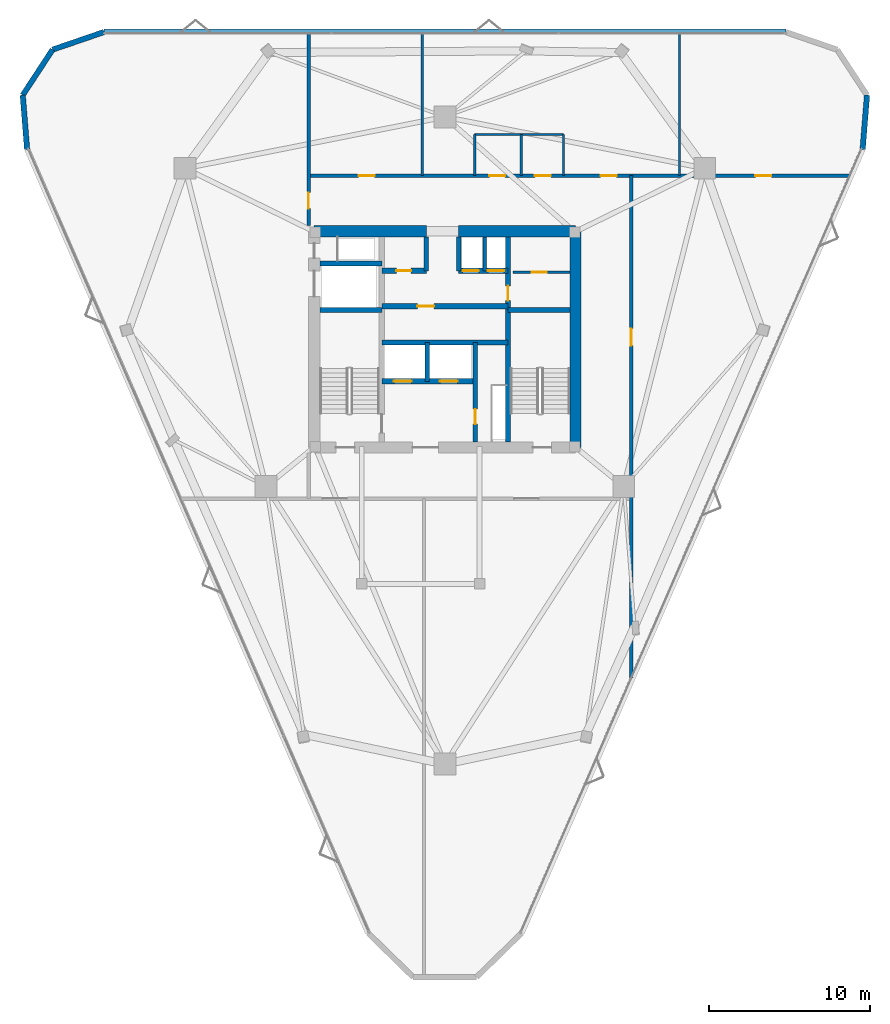
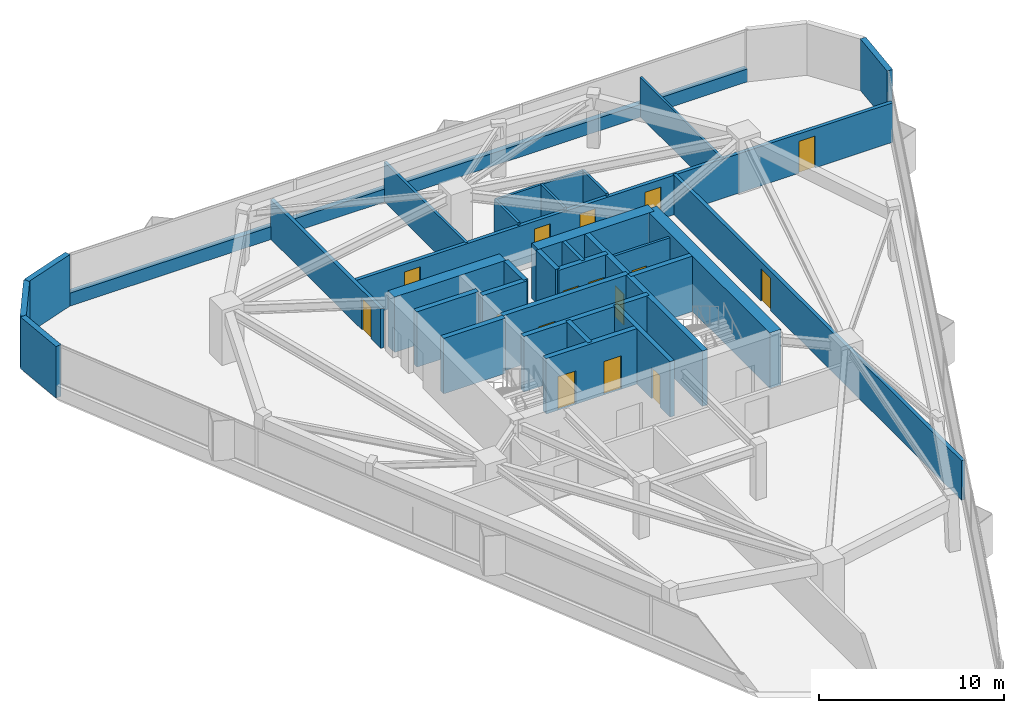
# One storey, part 10 of 12: 32 walls, 16 doors, 16 openings.
"""IFC4 building model written with IfcOpenShell, lengths in metres."""

from ifc_helpers import new_model, si_unit, direction, frame, frame_2d, origin, place, context, subcontext, project, spatial, rectangle, extrude, material, layer, layer_set, type_object, element, fill, save


model = new_model("IFC4")

# Units and contexts
model_context = context("Model", 3, precision=1e-05, world=origin(), true_north=direction((0.0, 1.0)))
body_context = subcontext(model_context, "Body", "Model", "MODEL_VIEW")
ifc_project = project(units=[si_unit("LENGTHUNIT", "METRE"), si_unit("AREAUNIT", "SQUARE_METRE"), si_unit("VOLUMEUNIT", "CUBIC_METRE"), si_unit("PLANEANGLEUNIT", "RADIAN"), si_unit("MASSUNIT", "GRAM", prefix="KILO")], contexts=[model_context])

# Site, building, storey
site_placement = place(None, origin())
site = spatial("IfcSite", under=ifc_project, at=site_placement, CompositionType="ELEMENT")
building_placement = place(site_placement, origin())
building = spatial("IfcBuilding", under=site, at=building_placement, Name="Talyreon Biosciences Tower", CompositionType="ELEMENT")
storey_placement = place(building_placement, frame((0.0, 0.0, 194.0)))
storey = spatial("IfcBuildingStorey", under=building, at=storey_placement, Name="L51", CompositionType="ELEMENT", Elevation=194.0)

# Walls
ifc_material_1 = material(Name="Concrete C50/60", Category="concrete")
ifc_layer_1 = layer(ifc_material_1, 0.219970703125)
ifc_layer_set_1 = layer_set([ifc_layer_1], Name="Concrete C50/60")
wall_type_1 = type_object("IfcWallType", Name="CoreShearWall_220", PredefinedType="SHEAR", material=ifc_layer_set_1)
wall_1_placement = place(storey_placement, frame((68.4599609375, 72.25, 0.0), z_axis=(0.0, 0.0, 1.0), x_axis=(0.0, 1.0, 0.0)))
element("IfcWall", 1, at=wall_1_placement, inside=storey, type_object=wall_type_1, Name="L51 Core Shaft Wall SWPHD", PredefinedType="SHEAR", context=body_context, shape_type="SweptSolid", body=[
    extrude(rectangle(XDim=2.10009765625, YDim=0.219970703125, at=frame_2d((1.050048828125, 0.0))), origin(), (0.0, 0.0, 1.0), 3.64990234375),
])
ifc_layer_2 = layer(ifc_material_1, 0.280029296875)
ifc_layer_set_2 = layer_set([ifc_layer_2], Name="Concrete C50/60")
wall_type_2 = type_object("IfcWallType", Name="CoreShearWall_280", PredefinedType="SHEAR", material=ifc_layer_set_2)
wall_2_placement = place(storey_placement, frame((64.919921875, 65.39990234375, 0.0), z_axis=(0.0, 0.0, 1.0), x_axis=(0.0, 1.0, 0.0)))
element("IfcWall", 2, at=wall_2_placement, inside=storey, type_object=wall_type_2, Name="L51 Core Shaft Wall SWSHD1", PredefinedType="SHEAR", context=body_context, shape_type="SweptSolid", body=[
    extrude(rectangle(XDim=2.400146484375, YDim=0.280029296875, at=frame_2d((1.2001953125, 0.0))), origin(), (0.0, 0.0, 1.0), 3.64990234375),
])
for number, where, z_axis, x_axis, name in (
    (3, (64.85009765625, 72.25, 0.0), (0.0, 0.0, 1.0), (0.0, 1.0, 0.0), "L51 Core Shaft Wall SWTHW"),
    (4, (66.85009765625, 72.25, 0.0), (0.0, 0.0, 1.0), (0.0, 1.0, 0.0), "L51 Core Shaft Wall SWTHE"),
):
    element("IfcWall", number, at=place(storey_placement, frame(where, z_axis=z_axis, x_axis=x_axis)), inside=storey, type_object=wall_type_2, Name=name, PredefinedType="SHEAR", context=body_context, shape_type="SweptSolid", body=[
        extrude(rectangle(XDim=2.10009765625, YDim=0.280029296875, at=frame_2d((1.050048828125, 0.0))), origin(), (0.0, 0.0, 1.0), 3.64990234375),
    ])

# Wall, opening, door
wall_3_placement = place(storey_placement, frame((67.8798828125, 61.64990234375, 0.0), z_axis=(0.0, 0.0, 1.0), x_axis=(0.0, 1.0, 0.0)))
wall_3 = element("IfcWall", 5, at=wall_3_placement, inside=storey, type_object=wall_type_2, Name="L51 Core Shaft Wall SWFFE", PredefinedType="SHEAR", context=body_context, shape_type="SweptSolid", body=[
    extrude(rectangle(XDim=6.150146484375, YDim=0.280029296875, at=frame_2d((3.0751953125, 0.0))), origin(), (0.0, 0.0, 1.0), 3.64990234375),
])
opening_1_placement = place(wall_3_placement, frame((1.10009765625, 0.0, 0.0)))
opening_1 = element("IfcOpeningElement", 6, at=opening_1_placement, cuts=wall_3, Name="Opening DR-L51-RSE", PredefinedType="OPENING", context=body_context, shape_type="SweptSolid", body=[
    extrude(rectangle(XDim=0.919921875, YDim=2.050048828125, at=frame_2d((0.4599609375, 1.02490234375))), frame((0.0, 0.14990234375, 0.0), z_axis=(0.0, -1.0, 0.0), x_axis=(1.0, 0.0, 0.0)), (0.0, 0.0, 1.0), 0.300048828125),
])
ifc_material_2 = material(Name="Painted steel fire-rated riser door", Category="steel")
door_type_1 = type_object("IfcDoorType", Name="RiserPlantAccessDoor_920x2050", OperationType="NOTDEFINED", PredefinedType="DOOR", material=ifc_material_2)
door_1_placement = place(opening_1_placement, origin())
door_1 = element("IfcDoor", 7, at=door_1_placement, inside=storey, type_object=door_type_1, Name="L51 Core Door DR-L51-RSE", OperationType="SINGLE_SWING_RIGHT", OverallHeight=2.050048828125, OverallWidth=0.919921875, PredefinedType="DOOR", context=body_context, shape_type="SweptSolid", body=[
    extrude(rectangle(XDim=0.919921875, YDim=2.050048828125, at=frame_2d((0.4599609375, 1.02490234375))), frame((0.0, 0.02490234375, 0.0), z_axis=(0.0, -1.0, 0.0), x_axis=(1.0, 0.0, 0.0)), (0.0, 0.0, 1.0), 0.050048828125),
])
fill(opening_1, door_1)

ifc_layer_3 = layer(ifc_material_1, 0.320068359375)
ifc_layer_set_3 = layer_set([ifc_layer_3], Name="Concrete C50/60")
wall_type_3 = type_object("IfcWallType", Name="CoreShearWall_320", PredefinedType="SHEAR", material=ifc_layer_set_3)
wall_4_placement = place(storey_placement, frame((69.909912109375, 61.64990234375, 0.0), z_axis=(0.0, 0.0, 1.0), x_axis=(0.0, 1.0, 0.0)))
wall_4 = element("IfcWall", 8, at=wall_4_placement, inside=storey, type_object=wall_type_3, Name="L51 Core Shaft Wall SW2W", PredefinedType="SHEAR", context=body_context, shape_type="SweptSolid", body=[
    extrude(rectangle(XDim=12.7001953125, YDim=0.320068359375, at=frame_2d((6.35009765625, 0.0))), origin(), (0.0, 0.0, 1.0), 3.64990234375),
])
opening_2_placement = place(wall_4_placement, frame((8.75, 0.0, 0.0)))
opening_2 = element("IfcOpeningElement", 9, at=opening_2_placement, cuts=wall_4, Name="Opening DR-L51-CSRV", PredefinedType="OPENING", context=body_context, shape_type="SweptSolid", body=[
    extrude(rectangle(XDim=0.919921875, YDim=2.050048828125, at=frame_2d((0.4599609375, 1.02490234375))), frame((0.0, 0.169921875, 0.0), z_axis=(0.0, -1.0, 0.0), x_axis=(1.0, 0.0, 0.0)), (0.0, 0.0, 1.0), 0.340087890625),
])
door_2_placement = place(opening_2_placement, origin())
door_2 = element("IfcDoor", 10, at=door_2_placement, inside=storey, type_object=door_type_1, Name="L51 Core Door DR-L51-CSRV", OperationType="SINGLE_SWING_RIGHT", OverallHeight=2.050048828125, OverallWidth=0.919921875, PredefinedType="DOOR", context=body_context, shape_type="SweptSolid", body=[
    extrude(rectangle(XDim=0.919921875, YDim=2.050048828125, at=frame_2d((0.4599609375, 1.02490234375))), frame((0.0, 0.02490234375, 0.0), z_axis=(0.0, -1.0, 0.0), x_axis=(1.0, 0.0, 0.0)), (0.0, 0.0, 1.0), 0.050048828125),
])
fill(opening_2, door_2)

# Walls
for number, where, z_axis, x_axis, name in (
    (11, (58.25, 69.81005859375, 0.0), (0.0, 0.0, 1.0), (1.0, 0.0, 0.0), "L51 Core Shaft Wall SW1N"),
    (12, (69.909912109375, 69.81005859375, 0.0), (0.0, 0.0, 1.0), (1.0, 0.0, 0.0), "L51 Core Shaft Wall SW2N"),
    (13, (58.25, 72.699951171875, 0.0), (0.0, 0.0, 1.0), (1.0, 0.0, 0.0), "L51 Core Shaft Wall SWGLN"),
):
    element("IfcWall", number, at=place(storey_placement, frame(where, z_axis=z_axis, x_axis=x_axis)), inside=storey, type_object=wall_type_3, Name=name, PredefinedType="SHEAR", context=body_context, shape_type="SweptSolid", body=[
        extrude(rectangle(XDim=3.840087890625, YDim=0.320068359375, at=frame_2d((1.919921875, 0.0))), origin(), (0.0, 0.0, 1.0), 3.64990234375),
    ])
wall_5_placement = place(storey_placement, frame((62.090087890625, 67.800048828125, 0.0), z_axis=(0.0, 0.0, 1.0), x_axis=(1.0, 0.0, 0.0)))
element("IfcWall", 14, at=wall_5_placement, inside=storey, type_object=wall_type_3, Name="L51 Core Shaft Wall SWSHM", PredefinedType="SHEAR", context=body_context, shape_type="SweptSolid", body=[
    extrude(rectangle(XDim=7.81982421875, YDim=0.320068359375, at=frame_2d((3.909912109375, 0.0))), origin(), (0.0, 0.0, 1.0), 3.64990234375),
])

# Wall, opening, door
wall_6_placement = place(storey_placement, frame((62.090087890625, 70.050048828125, 0.0), z_axis=(0.0, 0.0, 1.0), x_axis=(1.0, 0.0, 0.0)))
wall_6 = element("IfcWall", 15, at=wall_6_placement, inside=storey, type_object=wall_type_3, Name="L51 Core Shaft Wall SWSPN", PredefinedType="SHEAR", context=body_context, shape_type="SweptSolid", body=[
    extrude(rectangle(XDim=7.81982421875, YDim=0.320068359375, at=frame_2d((3.909912109375, 0.0))), origin(), (0.0, 0.0, 1.0), 3.64990234375),
])
opening_3_placement = place(wall_6_placement, frame((2.199951171875, 0.0, 0.0)))
opening_3 = element("IfcOpeningElement", 16, at=opening_3_placement, cuts=wall_6, Name="Opening DR-L51-PLPMFREE", PredefinedType="OPENING", context=body_context, shape_type="SweptSolid", body=[
    extrude(rectangle(XDim=1.050048828125, YDim=2.14990234375, at=frame_2d((0.52490234375, 1.074951171875))), frame((0.0, 0.169921875, 0.0), z_axis=(0.0, -1.0, 0.0), x_axis=(1.0, 0.0, 0.0)), (0.0, 0.0, 1.0), 0.340087890625),
])
ifc_material_3 = material(Name="Acoustic timber-core laboratory door", Category="wood")
door_type_2 = type_object("IfcDoorType", Name="DryLabSingleDoor_1050x2150", OperationType="NOTDEFINED", PredefinedType="DOOR", material=ifc_material_3)
door_3_placement = place(opening_3_placement, origin())
door_3 = element("IfcDoor", 17, at=door_3_placement, inside=storey, type_object=door_type_2, Name="L51 Core Door DR-L51-PLPMFREE", OperationType="SINGLE_SWING_LEFT", OverallHeight=2.14990234375, OverallWidth=1.050048828125, PredefinedType="DOOR", context=body_context, shape_type="SweptSolid", body=[
    extrude(rectangle(XDim=1.050048828125, YDim=2.14990234375, at=frame_2d((0.52490234375, 1.074951171875))), frame((0.0, 0.02490234375, 0.0), z_axis=(0.0, -1.0, 0.0), x_axis=(1.0, 0.0, 0.0)), (0.0, 0.0, 1.0), 0.050048828125),
])
fill(opening_3, door_3)

wall_7_placement = place(storey_placement, frame((62.090087890625, 72.25, 0.0), z_axis=(0.0, 0.0, 1.0), x_axis=(1.0, 0.0, 0.0)))
wall_7 = element("IfcWall", 18, at=wall_7_placement, inside=storey, type_object=wall_type_3, Name="L51 Core Shaft Wall SWNPW", PredefinedType="SHEAR", context=body_context, shape_type="SweptSolid", body=[
    extrude(rectangle(XDim=2.760009765625, YDim=0.320068359375, at=frame_2d((1.3798828125, 0.0))), origin(), (0.0, 0.0, 1.0), 3.64990234375),
])
opening_4_placement = place(wall_7_placement, frame((0.89990234375, 0.0, 0.0)))
opening_4 = element("IfcOpeningElement", 19, at=opening_4_placement, cuts=wall_7, Name="Opening DR-L51-PM2FREE", PredefinedType="OPENING", context=body_context, shape_type="SweptSolid", body=[
    extrude(rectangle(XDim=0.919921875, YDim=2.050048828125, at=frame_2d((0.4599609375, 1.02490234375))), frame((0.0, 0.169921875, 0.0), z_axis=(0.0, -1.0, 0.0), x_axis=(1.0, 0.0, 0.0)), (0.0, 0.0, 1.0), 0.340087890625),
])
door_4_placement = place(opening_4_placement, origin())
door_4 = element("IfcDoor", 20, at=door_4_placement, inside=storey, type_object=door_type_1, Name="L51 Core Door DR-L51-PM2FREE", OperationType="SINGLE_SWING_RIGHT", OverallHeight=2.050048828125, OverallWidth=0.919921875, PredefinedType="DOOR", context=body_context, shape_type="SweptSolid", body=[
    extrude(rectangle(XDim=0.919921875, YDim=2.050048828125, at=frame_2d((0.4599609375, 1.02490234375))), frame((0.0, 0.02490234375, 0.0), z_axis=(0.0, -1.0, 0.0), x_axis=(1.0, 0.0, 0.0)), (0.0, 0.0, 1.0), 0.050048828125),
])
fill(opening_4, door_4)

# Wall, openings, doors
wall_8_placement = place(storey_placement, frame((66.85009765625, 72.25, 0.0), z_axis=(0.0, 0.0, 1.0), x_axis=(1.0, 0.0, 0.0)))
wall_8 = element("IfcWall", 21, at=wall_8_placement, inside=storey, type_object=wall_type_3, Name="L51 Core Shaft Wall SWNPE", PredefinedType="SHEAR", context=body_context, shape_type="SweptSolid", body=[
    extrude(rectangle(XDim=3.059814453125, YDim=0.320068359375, at=frame_2d((1.52978515625, 0.0))), origin(), (0.0, 0.0, 1.0), 3.64990234375),
])
opening_5_placement = place(wall_8_placement, frame((0.25, 0.0, 0.0)))
opening_5 = element("IfcOpeningElement", 22, at=opening_5_placement, cuts=wall_8, Name="Opening LD-L51-PH1", PredefinedType="OPENING", context=body_context, shape_type="SweptSolid", body=[
    extrude(rectangle(XDim=1.0, YDim=2.199951171875, at=frame_2d((0.5, 1.10009765625))), frame((0.0, 0.169921875, 0.0), z_axis=(0.0, -1.0, 0.0), x_axis=(1.0, 0.0, 0.0)), (0.0, 0.0, 1.0), 0.340087890625),
])
opening_6_placement = place(wall_8_placement, frame((1.820068359375, 0.0, 0.0)))
opening_6 = element("IfcOpeningElement", 23, at=opening_6_placement, cuts=wall_8, Name="Opening LD-L51-PH2", PredefinedType="OPENING", context=body_context, shape_type="SweptSolid", body=[
    extrude(rectangle(XDim=1.0, YDim=2.199951171875, at=frame_2d((0.5, 1.10009765625))), frame((0.0, 0.169921875, 0.0), z_axis=(0.0, -1.0, 0.0), x_axis=(1.0, 0.0, 0.0)), (0.0, 0.0, 1.0), 0.340087890625),
])
ifc_material_4 = material(Name="Brushed stainless-steel lift landing door", Category="steel")
door_type_3 = type_object("IfcDoorType", Name="LiftSlidingLandingDoor_1100x2200", OperationType="SLIDING_TO_LEFT", PredefinedType="DOOR", material=ifc_material_4)
door_5_placement = place(opening_5_placement, origin())
door_5 = element("IfcDoor", 24, at=door_5_placement, inside=storey, type_object=door_type_3, Name="L51 Core Door LD-L51-PH1", OperationType="SLIDING_TO_LEFT", OverallHeight=2.199951171875, OverallWidth=1.0, PredefinedType="DOOR", context=body_context, shape_type="SweptSolid", body=[
    extrude(rectangle(XDim=1.0, YDim=2.199951171875, at=frame_2d((0.5, 1.10009765625))), frame((0.0, 0.02490234375, 0.0), z_axis=(0.0, -1.0, 0.0), x_axis=(1.0, 0.0, 0.0)), (0.0, 0.0, 1.0), 0.050048828125),
])
fill(opening_5, door_5)
door_6_placement = place(opening_6_placement, origin())
door_6 = element("IfcDoor", 25, at=door_6_placement, inside=storey, type_object=door_type_3, Name="L51 Core Door LD-L51-PH2", OperationType="SLIDING_TO_LEFT", OverallHeight=2.199951171875, OverallWidth=1.0, PredefinedType="DOOR", context=body_context, shape_type="SweptSolid", body=[
    extrude(rectangle(XDim=1.0, YDim=2.199951171875, at=frame_2d((0.5, 1.10009765625))), frame((0.0, 0.02490234375, 0.0), z_axis=(0.0, -1.0, 0.0), x_axis=(1.0, 0.0, 0.0)), (0.0, 0.0, 1.0), 0.050048828125),
])
fill(opening_6, door_6)

wall_9_placement = place(storey_placement, frame((62.090087890625, 65.39990234375, 0.0), z_axis=(0.0, 0.0, 1.0), x_axis=(1.0, 0.0, 0.0)))
wall_9 = element("IfcWall", 26, at=wall_9_placement, inside=storey, type_object=wall_type_3, Name="L51 Core Shaft Wall SWFFN", PredefinedType="SHEAR", context=body_context, shape_type="SweptSolid", body=[
    extrude(rectangle(XDim=5.789794921875, YDim=0.320068359375, at=frame_2d((2.89501953125, 0.0))), origin(), (0.0, 0.0, 1.0), 3.64990234375),
])
opening_7_placement = place(wall_9_placement, frame((0.75, 0.0, 0.0)))
opening_7 = element("IfcOpeningElement", 27, at=opening_7_placement, cuts=wall_9, Name="Opening LD-L51-FL1", PredefinedType="OPENING", context=body_context, shape_type="SweptSolid", body=[
    extrude(rectangle(XDim=1.10009765625, YDim=2.199951171875, at=frame_2d((0.550048828125, 1.10009765625))), frame((0.0, 0.169921875, 0.0), z_axis=(0.0, -1.0, 0.0), x_axis=(1.0, 0.0, 0.0)), (0.0, 0.0, 1.0), 0.340087890625),
])
opening_8_placement = place(wall_9_placement, frame((3.60009765625, 0.0, 0.0)))
opening_8 = element("IfcOpeningElement", 28, at=opening_8_placement, cuts=wall_9, Name="Opening LD-L51-FL2", PredefinedType="OPENING", context=body_context, shape_type="SweptSolid", body=[
    extrude(rectangle(XDim=1.10009765625, YDim=2.199951171875, at=frame_2d((0.550048828125, 1.10009765625))), frame((0.0, 0.169921875, 0.0), z_axis=(0.0, -1.0, 0.0), x_axis=(1.0, 0.0, 0.0)), (0.0, 0.0, 1.0), 0.340087890625),
])
door_7_placement = place(opening_7_placement, origin())
door_7 = element("IfcDoor", 29, at=door_7_placement, inside=storey, type_object=door_type_3, Name="L51 Core Door LD-L51-FL1", OperationType="SLIDING_TO_LEFT", OverallHeight=2.199951171875, OverallWidth=1.10009765625, PredefinedType="DOOR", context=body_context, shape_type="SweptSolid", body=[
    extrude(rectangle(XDim=1.10009765625, YDim=2.199951171875, at=frame_2d((0.550048828125, 1.10009765625))), frame((0.0, 0.02490234375, 0.0), z_axis=(0.0, -1.0, 0.0), x_axis=(1.0, 0.0, 0.0)), (0.0, 0.0, 1.0), 0.050048828125),
])
fill(opening_7, door_7)
door_8_placement = place(opening_8_placement, origin())
door_8 = element("IfcDoor", 30, at=door_8_placement, inside=storey, type_object=door_type_3, Name="L51 Core Door LD-L51-FL2", OperationType="SLIDING_TO_LEFT", OverallHeight=2.199951171875, OverallWidth=1.10009765625, PredefinedType="DOOR", context=body_context, shape_type="SweptSolid", body=[
    extrude(rectangle(XDim=1.10009765625, YDim=2.199951171875, at=frame_2d((0.550048828125, 1.10009765625))), frame((0.0, 0.02490234375, 0.0), z_axis=(0.0, -1.0, 0.0), x_axis=(1.0, 0.0, 0.0)), (0.0, 0.0, 1.0), 0.050048828125),
])
fill(opening_8, door_8)

# Walls
ifc_layer_4 = layer(ifc_material_1, 0.699951171875)
ifc_layer_set_4 = layer_set([ifc_layer_4], Name="Concrete C50/60")
wall_type_4 = type_object("IfcWallType", Name="CoreShearWall_700", PredefinedType="SHEAR", material=ifc_layer_set_4)
wall_10_placement = place(storey_placement, frame((74.10009765625, 61.300048828125, 0.0), z_axis=(0.0, 0.0, 1.0), x_axis=(0.0, 1.0, 0.0)))
element("IfcWall", 31, at=wall_10_placement, inside=storey, type_object=wall_type_4, Name="L51 Core Shear Wall E", PredefinedType="SHEAR", context=body_context, shape_type="SweptSolid", body=[
    extrude(rectangle(XDim=13.39990234375, YDim=0.699951171875, at=frame_2d((6.699951171875, 0.0))), origin(), (0.0, 0.0, 1.0), 3.64990234375),
])
wall_11_placement = place(storey_placement, frame((74.10009765625, 74.699951171875, 0.0), z_axis=(0.0, 0.0, 1.0), x_axis=(-1.0, 0.0, 0.0)))
element("IfcWall", 32, at=wall_11_placement, inside=storey, type_object=wall_type_4, Name="L51 Core Shear Wall NE", PredefinedType="SHEAR", context=body_context, shape_type="SweptSolid", body=[
    extrude(rectangle(XDim=7.25, YDim=0.699951171875, at=frame_2d((3.625, 0.0))), origin(), (0.0, 0.0, 1.0), 3.64990234375),
])
wall_12_placement = place(storey_placement, frame((64.85009765625, 74.699951171875, 0.0), z_axis=(0.0, 0.0, 1.0), x_axis=(-1.0, 0.0, 0.0)))
element("IfcWall", 33, at=wall_12_placement, inside=storey, type_object=wall_type_4, Name="L51 Core Shear Wall NW", PredefinedType="SHEAR", context=body_context, shape_type="SweptSolid", body=[
    extrude(rectangle(XDim=6.9501953125, YDim=0.699951171875, at=frame_2d((3.47509765625, 0.0))), origin(), (0.0, 0.0, 1.0), 3.64990234375),
])

# Wall, openings, doors
ifc_material_5 = material(Name="Gypsum fireboard acoustic stud", Category="gypsum")
ifc_layer_5 = layer(ifc_material_5, 0.219970703125)
ifc_layer_set_5 = layer_set([ifc_layer_5], Name="Gypsum fireboard acoustic stud")
wall_type_5 = type_object("IfcWallType", Name="CorridorRatedPartition_220", PredefinedType="PARTITIONING", material=ifc_layer_set_5)
wall_13_placement = place(storey_placement, frame((57.550048828125, 78.14990234375, 0.0), z_axis=(0.0, 0.0, 1.0), x_axis=(1.0, 0.0, 0.0)))
wall_13 = element("IfcWall", 34, at=wall_13_placement, inside=storey, type_object=wall_type_5, Name="L51 Interior Wall IW-L51-COR-N", PredefinedType="PARTITIONING", context=body_context, shape_type="SweptSolid", body=[
    extrude(rectangle(XDim=33.54833984375, YDim=0.219970703125, at=frame_2d((16.774169921875, 0.0))), origin(), (0.0, 0.0, 1.0), 2.60009765625),
])
opening_9_placement = place(wall_13_placement, frame((11.2099609375, 0.0, 0.0)))
opening_9 = element("IfcOpeningElement", 35, at=opening_9_placement, cuts=wall_13, Name="Opening DR-L51-WC", PredefinedType="OPENING", context=body_context, shape_type="SweptSolid", body=[
    extrude(rectangle(XDim=0.97998046875, YDim=2.10009765625, at=frame_2d((0.489990234375, 1.050048828125))), frame((0.0, 0.119873046875, 0.0), z_axis=(0.0, -1.0, 0.0), x_axis=(1.0, 0.0, 0.0)), (0.0, 0.0, 1.0), 0.239990234375),
])
opening_10_placement = place(wall_13_placement, frame((14.034912109375, 0.0, 0.0)))
opening_10 = element("IfcOpeningElement", 36, at=opening_10_placement, cuts=wall_13, Name="Opening DR-L51-AWC", PredefinedType="OPENING", context=body_context, shape_type="SweptSolid", body=[
    extrude(rectangle(XDim=0.97998046875, YDim=2.10009765625, at=frame_2d((0.489990234375, 1.050048828125))), frame((0.0, 0.119873046875, 0.0), z_axis=(0.0, -1.0, 0.0), x_axis=(1.0, 0.0, 0.0)), (0.0, 0.0, 1.0), 0.239990234375),
])
opening_11_placement = place(wall_13_placement, frame((3.10009765625, 0.0, 0.0)))
opening_11 = element("IfcOpeningElement", 37, at=opening_11_placement, cuts=wall_13, Name="Opening DR-L51-N1A", PredefinedType="OPENING", context=body_context, shape_type="SweptSolid", body=[
    extrude(rectangle(XDim=1.0, YDim=2.10009765625, at=frame_2d((0.5, 1.050048828125))), frame((0.0, 0.119873046875, 0.0), z_axis=(0.0, -1.0, 0.0), x_axis=(1.0, 0.0, 0.0)), (0.0, 0.0, 1.0), 0.239990234375),
])
opening_12_placement = place(wall_13_placement, frame((18.096923828125, 0.0, 0.0)))
opening_12 = element("IfcOpeningElement", 38, at=opening_12_placement, cuts=wall_13, Name="Opening DR-L51-N2A", PredefinedType="OPENING", context=body_context, shape_type="SweptSolid", body=[
    extrude(rectangle(XDim=1.0, YDim=2.10009765625, at=frame_2d((0.5, 1.050048828125))), frame((0.0, 0.119873046875, 0.0), z_axis=(0.0, -1.0, 0.0), x_axis=(1.0, 0.0, 0.0)), (0.0, 0.0, 1.0), 0.239990234375),
])
opening_13_placement = place(wall_13_placement, frame((27.69091796875, 0.0, 0.0)))
opening_13 = element("IfcOpeningElement", 39, at=opening_13_placement, cuts=wall_13, Name="Opening DR-L51-N3A", PredefinedType="OPENING", context=body_context, shape_type="SweptSolid", body=[
    extrude(rectangle(XDim=1.0, YDim=2.10009765625, at=frame_2d((0.5, 1.050048828125))), frame((0.0, 0.119873046875, 0.0), z_axis=(0.0, -1.0, 0.0), x_axis=(1.0, 0.0, 0.0)), (0.0, 0.0, 1.0), 0.239990234375),
])
ifc_material_6 = material(Name="Laminate moisture-resistant door", Category="wood")
door_type_4 = type_object("IfcDoorType", Name="AccessibleToiletDoor_980x2100", OperationType="NOTDEFINED", PredefinedType="DOOR", material=ifc_material_6)
door_9_placement = place(opening_9_placement, origin())
door_9 = element("IfcDoor", 40, at=door_9_placement, inside=storey, type_object=door_type_4, Name="L51 Interior Door DR-L51-WC", OperationType="SINGLE_SWING_LEFT", OverallHeight=2.10009765625, OverallWidth=0.97998046875, PredefinedType="DOOR", context=body_context, shape_type="SweptSolid", body=[
    extrude(rectangle(XDim=0.97998046875, YDim=2.10009765625, at=frame_2d((0.489990234375, 1.050048828125))), frame((0.0, 0.02490234375, 0.0), z_axis=(0.0, -1.0, 0.0), x_axis=(1.0, 0.0, 0.0)), (0.0, 0.0, 1.0), 0.050048828125),
])
fill(opening_9, door_9)
door_10_placement = place(opening_10_placement, origin())
door_10 = element("IfcDoor", 41, at=door_10_placement, inside=storey, type_object=door_type_4, Name="L51 Interior Door DR-L51-AWC", OperationType="SINGLE_SWING_LEFT", OverallHeight=2.10009765625, OverallWidth=0.97998046875, PredefinedType="DOOR", context=body_context, shape_type="SweptSolid", body=[
    extrude(rectangle(XDim=0.97998046875, YDim=2.10009765625, at=frame_2d((0.489990234375, 1.050048828125))), frame((0.0, 0.02490234375, 0.0), z_axis=(0.0, -1.0, 0.0), x_axis=(1.0, 0.0, 0.0)), (0.0, 0.0, 1.0), 0.050048828125),
])
fill(opening_10, door_10)
ifc_material_7 = material(Name="Acoustic oak veneer office door", Category="wood")
door_type_5 = type_object("IfcDoorType", Name="WriteupOfficeDoor_1000x2100", OperationType="NOTDEFINED", PredefinedType="DOOR", material=ifc_material_7)
door_11_placement = place(opening_11_placement, origin())
door_11 = element("IfcDoor", 42, at=door_11_placement, inside=storey, type_object=door_type_5, Name="L51 Interior Door DR-L51-N1A", OperationType="SINGLE_SWING_LEFT", OverallHeight=2.10009765625, OverallWidth=1.0, PredefinedType="DOOR", context=body_context, shape_type="SweptSolid", body=[
    extrude(rectangle(XDim=1.0, YDim=2.10009765625, at=frame_2d((0.5, 1.050048828125))), frame((0.0, 0.02490234375, 0.0), z_axis=(0.0, -1.0, 0.0), x_axis=(1.0, 0.0, 0.0)), (0.0, 0.0, 1.0), 0.050048828125),
])
fill(opening_11, door_11)
door_12_placement = place(opening_12_placement, origin())
door_12 = element("IfcDoor", 43, at=door_12_placement, inside=storey, type_object=door_type_5, Name="L51 Interior Door DR-L51-N2A", OperationType="SINGLE_SWING_RIGHT", OverallHeight=2.10009765625, OverallWidth=1.0, PredefinedType="DOOR", context=body_context, shape_type="SweptSolid", body=[
    extrude(rectangle(XDim=1.0, YDim=2.10009765625, at=frame_2d((0.5, 1.050048828125))), frame((0.0, 0.02490234375, 0.0), z_axis=(0.0, -1.0, 0.0), x_axis=(1.0, 0.0, 0.0)), (0.0, 0.0, 1.0), 0.050048828125),
])
fill(opening_12, door_12)
door_13_placement = place(opening_13_placement, origin())
door_13 = element("IfcDoor", 44, at=door_13_placement, inside=storey, type_object=door_type_5, Name="L51 Interior Door DR-L51-N3A", OperationType="SINGLE_SWING_LEFT", OverallHeight=2.10009765625, OverallWidth=1.0, PredefinedType="DOOR", context=body_context, shape_type="SweptSolid", body=[
    extrude(rectangle(XDim=1.0, YDim=2.10009765625, at=frame_2d((0.5, 1.050048828125))), frame((0.0, 0.02490234375, 0.0), z_axis=(0.0, -1.0, 0.0), x_axis=(1.0, 0.0, 0.0)), (0.0, 0.0, 1.0), 0.050048828125),
])
fill(opening_13, door_13)

# Wall, opening, door
wall_14_placement = place(storey_placement, frame((57.550048828125, 75.050048828125, 0.0), z_axis=(0.0, 0.0, 1.0), x_axis=(0.0, 1.0, 0.0)))
wall_14 = element("IfcWall", 45, at=wall_14_placement, inside=storey, type_object=wall_type_5, Name="L51 Interior Wall IW-L51-WCAP-N", PredefinedType="PARTITIONING", context=body_context, shape_type="SweptSolid", body=[
    extrude(rectangle(XDim=11.9169921875, YDim=0.219970703125, at=frame_2d((5.95849609375, 0.0))), origin(), (0.0, 0.0, 1.0), 2.60009765625),
])
opening_14_placement = place(wall_14_placement, frame((1.050048828125, 0.0, 0.0)))
opening_14 = element("IfcOpeningElement", 46, at=opening_14_placement, cuts=wall_14, Name="Opening DR-L51-W1A", PredefinedType="OPENING", context=body_context, shape_type="SweptSolid", body=[
    extrude(rectangle(XDim=1.0, YDim=2.10009765625, at=frame_2d((0.5, 1.050048828125))), frame((0.0, 0.119873046875, 0.0), z_axis=(0.0, -1.0, 0.0), x_axis=(1.0, 0.0, 0.0)), (0.0, 0.0, 1.0), 0.239990234375),
])
door_14_placement = place(opening_14_placement, origin())
door_14 = element("IfcDoor", 47, at=door_14_placement, inside=storey, type_object=door_type_5, Name="L51 Interior Door DR-L51-W1A", OperationType="SINGLE_SWING_LEFT", OverallHeight=2.10009765625, OverallWidth=1.0, PredefinedType="DOOR", context=body_context, shape_type="SweptSolid", body=[
    extrude(rectangle(XDim=1.0, YDim=2.10009765625, at=frame_2d((0.5, 1.050048828125))), frame((0.0, 0.02490234375, 0.0), z_axis=(0.0, -1.0, 0.0), x_axis=(1.0, 0.0, 0.0)), (0.0, 0.0, 1.0), 0.050048828125),
])
fill(opening_14, door_14)

wall_15_placement = place(storey_placement, frame((77.550048828125, 47.001220703125, 0.0), z_axis=(0.0, 0.0, 1.0), x_axis=(0.0, 1.0, 0.0)))
wall_15 = element("IfcWall", 48, at=wall_15_placement, inside=storey, type_object=wall_type_5, Name="L51 Interior Wall IW-L51-COR-E", PredefinedType="PARTITIONING", context=body_context, shape_type="SweptSolid", body=[
    extrude(rectangle(XDim=31.148681640625, YDim=0.219970703125, at=frame_2d((15.57421875, 0.0))), origin(), (0.0, 0.0, 1.0), 2.60009765625),
])
opening_15_placement = place(wall_15_placement, frame((20.614013671875, 0.0, 0.0)))
opening_15 = element("IfcOpeningElement", 49, at=opening_15_placement, cuts=wall_15, Name="Opening DR-L51-E1A", PredefinedType="OPENING", context=body_context, shape_type="SweptSolid", body=[
    extrude(rectangle(XDim=1.050048828125, YDim=2.14990234375, at=frame_2d((0.52490234375, 1.074951171875))), frame((0.0, 0.119873046875, 0.0), z_axis=(0.0, -1.0, 0.0), x_axis=(1.0, 0.0, 0.0)), (0.0, 0.0, 1.0), 0.239990234375),
])
door_15_placement = place(opening_15_placement, origin())
door_15 = element("IfcDoor", 50, at=door_15_placement, inside=storey, type_object=door_type_2, Name="L51 Interior Door DR-L51-E1A", OperationType="SINGLE_SWING_LEFT", OverallHeight=2.14990234375, OverallWidth=1.050048828125, PredefinedType="DOOR", context=body_context, shape_type="SweptSolid", body=[
    extrude(rectangle(XDim=1.050048828125, YDim=2.14990234375, at=frame_2d((0.52490234375, 1.074951171875))), frame((0.0, 0.02490234375, 0.0), z_axis=(0.0, -1.0, 0.0), x_axis=(1.0, 0.0, 0.0)), (0.0, 0.0, 1.0), 0.050048828125),
])
fill(opening_15, door_15)

ifc_material_8 = material(Name="Gypsum acoustic stud partition", Category="gypsum")
ifc_layer_6 = layer(ifc_material_8, 0.159912109375)
ifc_layer_set_6 = layer_set([ifc_layer_6], Name="Gypsum acoustic stud partition")
wall_type_6 = type_object("IfcWallType", Name="LabSeparationPartition_160", PredefinedType="PARTITIONING", material=ifc_layer_set_6)
wall_16_placement = place(storey_placement, frame((70.22998046875, 72.14990234375, 0.0), z_axis=(0.0, 0.0, 1.0), x_axis=(1.0, 0.0, 0.0)))
wall_16 = element("IfcWall", 51, at=wall_16_placement, inside=storey, type_object=wall_type_6, Name="L51 Interior Wall IW-L51-CSRV-H", PredefinedType="PARTITIONING", context=body_context, shape_type="SweptSolid", body=[
    extrude(rectangle(XDim=3.52001953125, YDim=0.159912109375, at=frame_2d((1.760009765625, 0.0))), origin(), (0.0, 0.0, 1.0), 3.39990234375),
])
opening_16_placement = place(wall_16_placement, frame((1.14990234375, 0.0, 0.0)))
opening_16 = element("IfcOpeningElement", 52, at=opening_16_placement, cuts=wall_16, Name="Opening DR-L51-CSRV-I", PredefinedType="OPENING", context=body_context, shape_type="SweptSolid", body=[
    extrude(rectangle(XDim=0.919921875, YDim=2.050048828125, at=frame_2d((0.4599609375, 1.02490234375))), frame((0.0, 0.08984375, 0.0), z_axis=(0.0, -1.0, 0.0), x_axis=(1.0, 0.0, 0.0)), (0.0, 0.0, 1.0), 0.179931640625),
])
door_16_placement = place(opening_16_placement, origin())
door_16 = element("IfcDoor", 53, at=door_16_placement, inside=storey, type_object=door_type_1, Name="L51 Interior Door DR-L51-CSRV-I", OperationType="SINGLE_SWING_LEFT", OverallHeight=2.050048828125, OverallWidth=0.919921875, PredefinedType="DOOR", context=body_context, shape_type="SweptSolid", body=[
    extrude(rectangle(XDim=0.919921875, YDim=2.050048828125, at=frame_2d((0.4599609375, 1.02490234375))), frame((0.0, 0.02490234375, 0.0), z_axis=(0.0, -1.0, 0.0), x_axis=(1.0, 0.0, 0.0)), (0.0, 0.0, 1.0), 0.050048828125),
])
fill(opening_16, door_16)

# Walls
wall_17_placement = place(storey_placement, frame((64.60009765625, 78.14990234375, 0.0), z_axis=(0.0, 0.0, 1.0), x_axis=(0.0, 1.0, 0.0)))
element("IfcWall", 54, at=wall_17_placement, inside=storey, type_object=wall_type_6, Name="L51 Interior Wall IW-L51-NDIV1", PredefinedType="PARTITIONING", context=body_context, shape_type="SweptSolid", body=[
    extrude(rectangle(XDim=8.817138671875, YDim=0.159912109375, at=frame_2d((4.40869140625, 0.0))), origin(), (0.0, 0.0, 1.0), 2.60009765625),
])
ifc_layer_7 = layer(ifc_material_8, 0.1298828125)
ifc_layer_set_7 = layer_set([ifc_layer_7], Name="Gypsum acoustic stud partition")
wall_type_7 = type_object("IfcWallType", Name="OfficeWriteupPartition_130", PredefinedType="PARTITIONING", material=ifc_layer_set_7)
wall_18_placement = place(storey_placement, frame((80.533935546875, 78.14990234375, 0.0), z_axis=(0.0, 0.0, 1.0), x_axis=(0.0, 1.0, 0.0)))
element("IfcWall", 55, at=wall_18_placement, inside=storey, type_object=wall_type_7, Name="L51 Interior Wall IW-L51-NDIV2", PredefinedType="PARTITIONING", context=body_context, shape_type="SweptSolid", body=[
    extrude(rectangle(XDim=8.817138671875, YDim=0.1298828125, at=frame_2d((4.40869140625, 0.0))), origin(), (0.0, 0.0, 1.0), 2.60009765625),
])
ifc_material_9 = material(Name="Precast concrete C45/55", Category="concrete")
ifc_layer_8 = layer(ifc_material_9, 0.340087890625)
ifc_layer_set_8 = layer_set([ifc_layer_8], Name="Precast concrete C45/55")
wall_type_8 = type_object("IfcWallType", Name="PrecastConcreteSpandrelWall_340", PredefinedType="STANDARD", material=ifc_layer_set_8)
wall_19_placement = place(storey_placement, frame((40.100830078125, 79.778076171875, 0.0), z_axis=(0.0, 0.0, 1.0), x_axis=(-0.080012871035, 0.996793830473, 0.0)))
element("IfcWall", 56, at=wall_19_placement, inside=storey, type_object=wall_type_8, Name="L51 Rounded-Corner Concrete Pier 01", PredefinedType="STANDARD", context=body_context, shape_type="SweptSolid", body=[
    extrude(rectangle(XDim=3.37158203125, YDim=0.340087890625, at=frame_2d((1.685791015625, 0.0))), origin(), (0.0, 0.0, 1.0), 3.39990234375),
])
wall_20_placement = place(storey_placement, frame((39.8310546875, 83.138916015625, 0.0), z_axis=(0.0, 0.0, 1.0), x_axis=(0.548234112363, 0.836324911767, 0.0)))
element("IfcWall", 57, at=wall_20_placement, inside=storey, type_object=wall_type_8, Name="L51 Rounded-Corner Concrete Pier 02", PredefinedType="STANDARD", context=body_context, shape_type="SweptSolid", body=[
    extrude(rectangle(XDim=3.3720703125, YDim=0.340087890625, at=frame_2d((1.68603515625, 0.0))), origin(), (0.0, 0.0, 1.0), 3.39990234375),
])
wall_21_placement = place(storey_placement, frame((41.6796875, 85.958984375, 0.0), z_axis=(0.0, 0.0, 1.0), x_axis=(0.945999881237, 0.324166970402, 0.0)))
element("IfcWall", 58, at=wall_21_placement, inside=storey, type_object=wall_type_8, Name="L51 Rounded-Corner Concrete Pier 03", PredefinedType="STANDARD", context=body_context, shape_type="SweptSolid", body=[
    extrude(rectangle(XDim=3.371826171875, YDim=0.340087890625, at=frame_2d((1.68603515625, 0.0))), origin(), (0.0, 0.0, 1.0), 3.39990234375),
])
wall_22_placement = place(storey_placement, frame((44.869384765625, 87.052001953125, 0.0), z_axis=(0.0, 0.0, 1.0), x_axis=(1.0, 0.0, 0.0)))
element("IfcWall", 59, at=wall_22_placement, inside=storey, type_object=wall_type_8, Name="L51 Expressed Concrete Sill Wall 04", PredefinedType="STANDARD", context=body_context, shape_type="SweptSolid", body=[
    extrude(rectangle(XDim=42.261474609375, YDim=0.340087890625, at=frame_2d((21.130859375, 0.0))), origin(), (0.0, 0.0, 1.0), 0.85009765625),
])
wall_23_placement = place(storey_placement, frame((92.1689453125, 83.138916015625, 0.0), z_axis=(0.0, 0.0, 1.0), x_axis=(-0.080012871035, -0.996793830473, 0.0)))
element("IfcWall", 60, at=wall_23_placement, inside=storey, type_object=wall_type_8, Name="L51 Rounded-Corner Concrete Pier 07", PredefinedType="STANDARD", context=body_context, shape_type="SweptSolid", body=[
    extrude(rectangle(XDim=3.37158203125, YDim=0.340087890625, at=frame_2d((1.685791015625, 0.0))), origin(), (0.0, 0.0, 1.0), 3.39990234375),
])
ifc_material_10 = material(Name="Moisture-resistant cement-board stud", Category="gypsum")
ifc_layer_9 = layer(ifc_material_10, 0.14501953125)
ifc_layer_set_9 = layer_set([ifc_layer_9], Name="Moisture-resistant cement-board stud")
wall_type_9 = type_object("IfcWallType", Name="WetRoomPartition_145", PredefinedType="PARTITIONING", material=ifc_layer_set_9)
for number, where, z_axis, x_axis, name in (
    (61, (67.85009765625, 78.14990234375, 0.0), (0.0, 0.0, 1.0), (0.0, 1.0, 0.0), "L51 Interior Wall IW-L51-WCL"),
    (62, (70.72509765625, 78.14990234375, 0.0), (0.0, 0.0, 1.0), (0.0, 1.0, 0.0), "L51 Interior Wall IW-L51-WCM"),
    (63, (73.35009765625, 78.14990234375, 0.0), (0.0, 0.0, 1.0), (0.0, 1.0, 0.0), "L51 Interior Wall IW-L51-WCR"),
):
    element("IfcWall", number, at=place(storey_placement, frame(where, z_axis=z_axis, x_axis=x_axis)), inside=storey, type_object=wall_type_9, Name=name, PredefinedType="PARTITIONING", context=body_context, shape_type="SweptSolid", body=[
        extrude(rectangle(XDim=2.550048828125, YDim=0.14501953125, at=frame_2d((1.27490234375, 0.0))), origin(), (0.0, 0.0, 1.0), 2.780029296875),
    ])
wall_24_placement = place(storey_placement, frame((67.85009765625, 80.699951171875, 0.0), z_axis=(0.0, 0.0, 1.0), x_axis=(1.0, 0.0, 0.0)))
element("IfcWall", 64, at=wall_24_placement, inside=storey, type_object=wall_type_9, Name="L51 Interior Wall IW-L51-WCT", PredefinedType="PARTITIONING", context=body_context, shape_type="SweptSolid", body=[
    extrude(rectangle(XDim=5.5, YDim=0.14501953125, at=frame_2d((2.75, 0.0))), origin(), (0.0, 0.0, 1.0), 2.780029296875),
])

save(model, "model.ifc")
